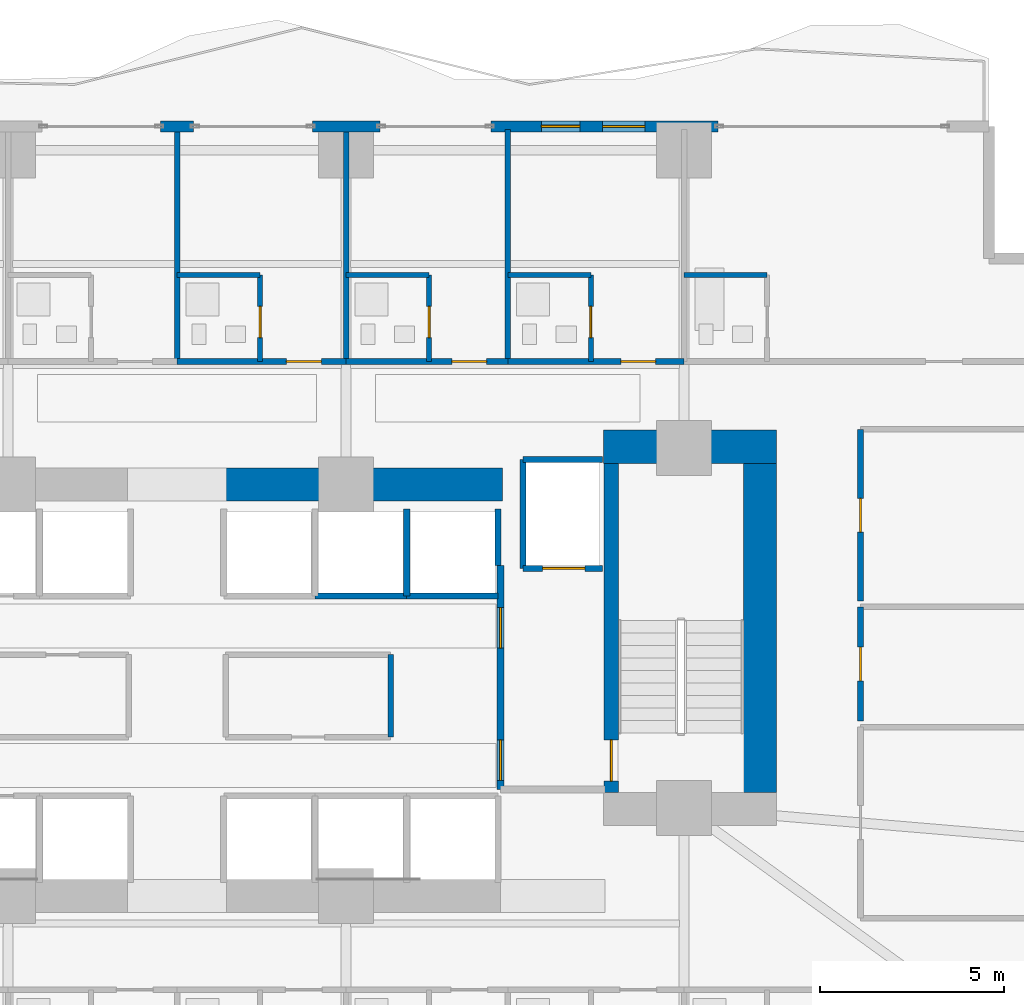
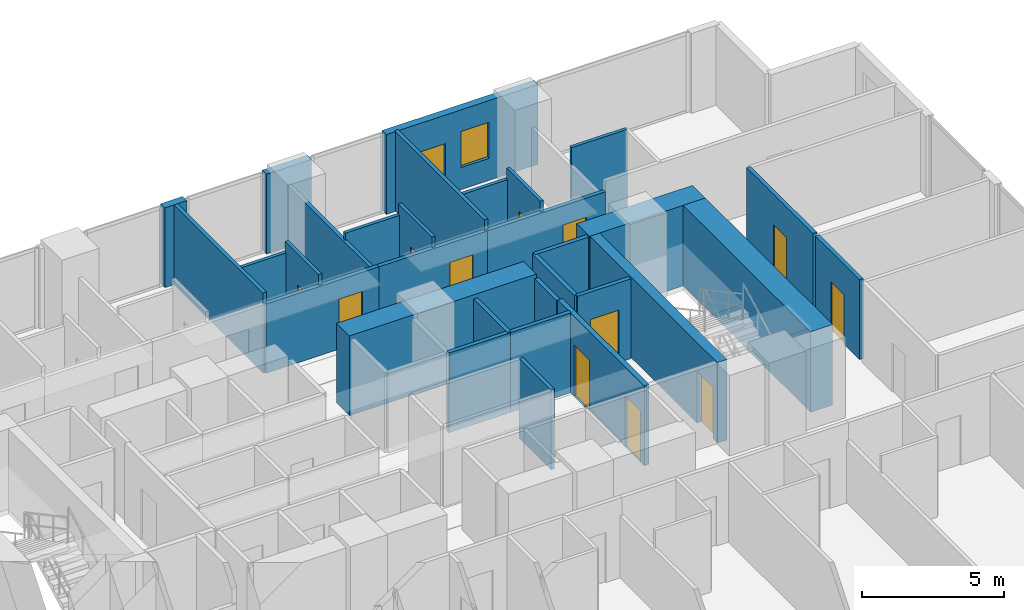
# One storey, part 23 of 29: 31 walls, 13 doors, 1 window, 14 openings.
"""IFC4 building model written with IfcOpenShell, lengths in metres."""

from ifc_helpers import new_model, si_unit, direction, frame, frame_2d, origin, place, context, subcontext, project, spatial, rectangle, extrude, material, layer, layer_set, type_object, element, fill, save


model = new_model("IFC4")

# Units and contexts
model_context = context("Model", 3, precision=1e-05, world=origin(), true_north=direction((0.0, 1.0)))
body_context = subcontext(model_context, "Body", "Model", "MODEL_VIEW")
ifc_project = project(units=[si_unit("LENGTHUNIT", "METRE"), si_unit("AREAUNIT", "SQUARE_METRE"), si_unit("VOLUMEUNIT", "CUBIC_METRE"), si_unit("PLANEANGLEUNIT", "RADIAN"), si_unit("MASSUNIT", "GRAM", prefix="KILO")], contexts=[model_context])

# Site, building, storey
site_placement = place(None, origin())
site = spatial("IfcSite", under=ifc_project, at=site_placement, CompositionType="ELEMENT")
building_placement = place(site_placement, origin())
building = spatial("IfcBuilding", under=site, at=building_placement, Name="Zuhayl Quay Hotel", CompositionType="ELEMENT")
storey_placement = place(building_placement, frame((0.0, 0.0, 64.10009765625)))
storey = spatial("IfcBuildingStorey", under=building, at=storey_placement, Name="L15", CompositionType="ELEMENT", Elevation=64.10009765625)

# Walls
ifc_material_1 = material(Name="Concrete C70/85", Category="concrete")
ifc_layer_1 = layer(ifc_material_1, 0.89990234375, Name="Concrete C70/85", Category="concrete")
ifc_layer_set_1 = layer_set([ifc_layer_1], Name="Concrete C70/85")
wall_type_1 = type_object("IfcWallType", Name="WL_CORE_900", PredefinedType="SHEAR", material=ifc_layer_set_1)
wall_1_placement = place(storey_placement, frame((11.60009765625, 14.3798828125, 0.0), z_axis=(0.0, 0.0, 1.0), x_axis=(1.0, 0.0, 0.0)))
element("IfcWall", 1, at=wall_1_placement, inside=storey, type_object=wall_type_1, Name="L15 Core Shear Wall CW_NE", PredefinedType="SHEAR", context=body_context, shape_type="SweptSolid", body=[
    extrude(rectangle(XDim=4.7099609375, YDim=0.89990234375, at=frame_2d((2.35498046875, 0.0))), origin(), (0.0, 0.0, 1.0), 3.4599609375),
])
wall_2_placement = place(storey_placement, frame((15.860107421875, 4.969970703125, 0.0), z_axis=(0.0, 0.0, 1.0), x_axis=(0.0, 1.0, 0.0)))
element("IfcWall", 2, at=wall_2_placement, inside=storey, type_object=wall_type_1, Name="L15 Core Shear Wall CW_E", PredefinedType="SHEAR", context=body_context, shape_type="SweptSolid", body=[
    extrude(rectangle(XDim=8.9599609375, YDim=0.89990234375, at=frame_2d((4.47998046875, 0.0))), origin(), (0.0, 0.0, 1.0), 3.4599609375),
])
wall_3_placement = place(storey_placement, frame((1.25, 13.35009765625, 0.0), z_axis=(0.0, 0.0, 1.0), x_axis=(1.0, 0.0, 0.0)))
element("IfcWall", 3, at=wall_3_placement, inside=storey, type_object=wall_type_1, Name="L15 Core Shear Wall CW_NC_E", PredefinedType="SHEAR", context=body_context, shape_type="SweptSolid", body=[
    extrude(rectangle(XDim=7.60009765625, YDim=0.89990234375, at=frame_2d((3.800048828125, 0.0))), origin(), (0.0, 0.0, 1.0), 3.429931640625),
])
ifc_material_2 = material(Name="Precast concrete C45/55", Category="concrete")
ifc_layer_2 = layer(ifc_material_2, 0.300048828125, Name="Precast concrete C45/55", Category="concrete")
ifc_layer_set_2 = layer_set([ifc_layer_2], Name="Precast concrete C45/55")
wall_type_2 = type_object("IfcWallType", Name="WL_EXT_300", PredefinedType="STANDARD", material=ifc_layer_set_2)
wall_4_placement = place(storey_placement, frame((-0.449951171875, 23.10009765625, 0.0), z_axis=(0.0, 0.0, 1.0), x_axis=(1.0, 0.0, 0.0)))
element("IfcWall", 4, at=wall_4_placement, inside=storey, type_object=wall_type_2, Name="L15 Exterior Precast Wall ENV_L15_N_EW4", PredefinedType="STANDARD", context=body_context, shape_type="SweptSolid", body=[
    extrude(rectangle(XDim=0.89990234375, YDim=0.300048828125, at=frame_2d((0.449951171875, 0.0))), origin(), (0.0, 0.0, 1.0), 3.429931640625),
])
wall_5_placement = place(storey_placement, frame((3.679931640625, 23.10009765625, 0.0), z_axis=(0.0, 0.0, 1.0), x_axis=(1.0, 0.0, 0.0)))
element("IfcWall", 5, at=wall_5_placement, inside=storey, type_object=wall_type_2, Name="L15 Exterior Precast Wall ENV_L15_N_EW5", PredefinedType="STANDARD", context=body_context, shape_type="SweptSolid", body=[
    extrude(rectangle(XDim=1.840087890625, YDim=0.300048828125, at=frame_2d((0.919921875, 0.0))), origin(), (0.0, 0.0, 1.0), 3.429931640625),
])

# Wall, openings, door, window
wall_6_placement = place(storey_placement, frame((8.550048828125, 23.10009765625, 0.0), z_axis=(0.0, 0.0, 1.0), x_axis=(1.0, 0.0, 0.0)))
wall_6 = element("IfcWall", 6, at=wall_6_placement, inside=storey, type_object=wall_type_2, Name="L15 Exterior Precast Wall ENV_L15_N_EW6", PredefinedType="STANDARD", context=body_context, shape_type="SweptSolid", body=[
    extrude(rectangle(XDim=6.169921875, YDim=0.300048828125, at=frame_2d((3.0849609375, 0.0))), origin(), (0.0, 0.0, 1.0), 3.429931640625),
])
opening_1_placement = place(wall_6_placement, frame((1.364990234375, 0.0, 0.0)))
opening_1 = element("IfcOpeningElement", 7, at=opening_1_placement, cuts=wall_6, Name="Opening DG1", PredefinedType="OPENING", context=body_context, shape_type="SweptSolid", body=[
    extrude(rectangle(XDim=1.050048828125, YDim=2.199951171875, at=frame_2d((0.52490234375, 1.10009765625))), frame((0.0, 0.159912109375, 0.0), z_axis=(0.0, -1.0, 0.0), x_axis=(1.0, 0.0, 0.0)), (0.0, 0.0, 1.0), 0.320068359375),
])
opening_2_placement = place(wall_6_placement, frame((3.032470703125, 0.0, 0.949951171875)))
opening_2 = element("IfcOpeningElement", 8, at=opening_2_placement, cuts=wall_6, Name="Opening W01N", PredefinedType="OPENING", context=body_context, shape_type="SweptSolid", body=[
    extrude(rectangle(XDim=1.14990234375, YDim=1.550048828125, at=frame_2d((0.574951171875, 0.77490234375))), frame((0.0, 0.159912109375, 0.0), z_axis=(0.0, -1.0, 0.0), x_axis=(1.0, 0.0, 0.0)), (0.0, 0.0, 1.0), 0.320068359375),
])
ifc_material_3 = material(Name="Anodised Aluminium and Dark Solar Glass", Category="aluminium")
door_type_1 = type_object("IfcDoorType", Name="DR_EXT_TERR_1050", OperationType="NOTDEFINED", PredefinedType="DOOR", material=ifc_material_3)
door_1_placement = place(opening_1_placement, origin())
door_1 = element("IfcDoor", 9, at=door_1_placement, inside=storey, type_object=door_type_1, Name="L15 North Rippling Balcony Door", OperationType="SINGLE_SWING_LEFT", OverallHeight=2.199951171875, OverallWidth=1.050048828125, PredefinedType="DOOR", context=body_context, shape_type="SweptSolid", body=[
    extrude(rectangle(XDim=1.050048828125, YDim=2.199951171875, at=frame_2d((0.52490234375, 1.10009765625))), frame((0.0, 0.02490234375, 0.0), z_axis=(0.0, -1.0, 0.0), x_axis=(1.0, 0.0, 0.0)), (0.0, 0.0, 1.0), 0.050048828125),
])
fill(opening_1, door_1)
ifc_material_4 = material(Name="Dark Ceramic-Fritted Solar Glass", Category="glass")
window_type = type_object("IfcWindowType", Name="WN_NOTCH_1350", PartitioningType="SINGLE_PANEL", PredefinedType="WINDOW", material=ifc_material_4)
window_placement = place(opening_2_placement, origin())
window = element("IfcWindow", 10, at=window_placement, inside=storey, type_object=window_type, Name="L15 Operable Facade Window 6-1", OverallHeight=1.550048828125, OverallWidth=1.14990234375, PartitioningType="SINGLE_PANEL", PredefinedType="WINDOW", context=body_context, shape_type="SweptSolid", body=[
    extrude(rectangle(XDim=1.14990234375, YDim=1.550048828125, at=frame_2d((0.574951171875, 0.77490234375))), frame((0.0, 0.030029296875, 0.0), z_axis=(0.0, -1.0, 0.0), x_axis=(1.0, 0.0, 0.0)), (0.0, 0.0, 1.0), 0.06005859375),
])
fill(opening_2, window)

# Walls
ifc_material_5 = material(Name="Acoustic Gypsum Partition STC-58")
ifc_layer_3 = layer(ifc_material_5, 0.14990234375, Name="Acoustic Gypsum Partition STC-58")
ifc_layer_set_3 = layer_set([ifc_layer_3], Name="Acoustic Gypsum Partition STC-58")
wall_type_3 = type_object("IfcWallType", Name="WL_PART_150", PredefinedType="PARTITIONING", material=ifc_layer_set_3)
wall_7_placement = place(storey_placement, frame((5.81005859375, 6.47998046875, 0.0), z_axis=(0.0, 0.0, 1.0), x_axis=(0.0, 1.0, 0.0)))
element("IfcWall", 11, at=wall_7_placement, inside=storey, type_object=wall_type_3, Name="L15 Partition IW_L15_CORE_PN_E", PredefinedType="PARTITIONING", context=body_context, shape_type="SweptSolid", body=[
    extrude(rectangle(XDim=2.239990234375, YDim=0.14990234375, at=frame_2d((1.1201171875, 0.0))), origin(), (0.0, 0.0, 1.0), 3.429931640625),
])
wall_8_placement = place(storey_placement, frame((0.0, 16.699951171875, 0.0), z_axis=(0.0, 0.0, 1.0), x_axis=(0.0, 1.0, 0.0)))
element("IfcWall", 12, at=wall_8_placement, inside=storey, type_object=wall_type_3, Name="L15 Partition IW_L15_NU04_E", PredefinedType="PARTITIONING", context=body_context, shape_type="SweptSolid", body=[
    extrude(rectangle(XDim=6.320068359375, YDim=0.14990234375, at=frame_2d((3.16015625, 0.0))), origin(), (0.0, 0.0, 1.0), 3.429931640625),
])
wall_9_placement = place(storey_placement, frame((4.60009765625, 16.699951171875, 0.0), z_axis=(0.0, 0.0, 1.0), x_axis=(0.0, 1.0, 0.0)))
element("IfcWall", 13, at=wall_9_placement, inside=storey, type_object=wall_type_3, Name="L15 Partition IW_L15_NU05_E", PredefinedType="PARTITIONING", context=body_context, shape_type="SweptSolid", body=[
    extrude(rectangle(XDim=6.320068359375, YDim=0.14990234375, at=frame_2d((3.16015625, 0.0))), origin(), (0.0, 0.0, 1.0), 2.66796875),
])
wall_10_placement = place(storey_placement, frame((9.0, 16.699951171875, 0.0), z_axis=(0.0, 0.0, 1.0), x_axis=(0.0, 1.0, 0.0)))
element("IfcWall", 14, at=wall_10_placement, inside=storey, type_object=wall_type_3, Name="L15 Partition IW_L15_NU06_E", PredefinedType="PARTITIONING", context=body_context, shape_type="SweptSolid", body=[
    extrude(rectangle(XDim=6.320068359375, YDim=0.14990234375, at=frame_2d((3.16015625, 0.0))), origin(), (0.0, 0.0, 1.0), 3.429931640625),
])

# Wall, opening, door
ifc_layer_4 = layer(ifc_material_5, 0.159912109375, Name="Acoustic Gypsum Partition STC-58")
ifc_layer_set_4 = layer_set([ifc_layer_4], Name="Acoustic Gypsum Partition STC-58")
wall_type_4 = type_object("IfcWallType", Name="WL_PART_CORR_160", PredefinedType="PARTITIONING", material=ifc_layer_set_4)
wall_11_placement = place(storey_placement, frame((0.0, 16.699951171875, 0.0), z_axis=(0.0, 0.0, 1.0), x_axis=(1.0, 0.0, 0.0)))
wall_11 = element("IfcWall", 15, at=wall_11_placement, inside=storey, type_object=wall_type_4, Name="L15 Partition IW_L15_NU05_COR", PredefinedType="PARTITIONING", context=body_context, shape_type="SweptSolid", body=[
    extrude(rectangle(XDim=4.60009765625, YDim=0.159912109375, at=frame_2d((2.300048828125, 0.0))), origin(), (0.0, 0.0, 1.0), 2.972900390625),
])
opening_3_placement = place(wall_11_placement, frame((2.97509765625, 0.0, 0.0)))
opening_3 = element("IfcOpeningElement", 16, at=opening_3_placement, cuts=wall_11, Name="Opening D03", PredefinedType="OPENING", context=body_context, shape_type="SweptSolid", body=[
    extrude(rectangle(XDim=0.949951171875, YDim=2.14990234375, at=frame_2d((0.47509765625, 1.074951171875))), frame((0.0, 0.08984375, 0.0), z_axis=(0.0, -1.0, 0.0), x_axis=(1.0, 0.0, 0.0)), (0.0, 0.0, 1.0), 0.179931640625),
])
ifc_material_6 = material(Name="Solid Walnut Acoustic Fire Door")
door_type_2 = type_object("IfcDoorType", Name="DR_SUITE_950", OperationType="NOTDEFINED", PredefinedType="DOOR", material=ifc_material_6)
door_2_placement = place(opening_3_placement, origin())
door_2 = element("IfcDoor", 17, at=door_2_placement, inside=storey, type_object=door_type_2, Name="L15 Deluxe Gulf Guest Room L15-05 Entrance Door", OperationType="SINGLE_SWING_LEFT", OverallHeight=2.14990234375, OverallWidth=0.949951171875, PredefinedType="DOOR", context=body_context, shape_type="SweptSolid", body=[
    extrude(rectangle(XDim=0.949951171875, YDim=2.14990234375, at=frame_2d((0.47509765625, 1.074951171875))), frame((0.0, 0.02490234375, 0.0), z_axis=(0.0, -1.0, 0.0), x_axis=(1.0, 0.0, 0.0)), (0.0, 0.0, 1.0), 0.050048828125),
])
fill(opening_3, door_2)

wall_12_placement = place(storey_placement, frame((4.60009765625, 16.699951171875, 0.0), z_axis=(0.0, 0.0, 1.0), x_axis=(1.0, 0.0, 0.0)))
wall_12 = element("IfcWall", 18, at=wall_12_placement, inside=storey, type_object=wall_type_4, Name="L15 Partition IW_L15_NU06_COR", PredefinedType="PARTITIONING", context=body_context, shape_type="SweptSolid", body=[
    extrude(rectangle(XDim=4.39990234375, YDim=0.159912109375, at=frame_2d((2.199951171875, 0.0))), origin(), (0.0, 0.0, 1.0), 2.972900390625),
])
opening_4_placement = place(wall_12_placement, frame((2.875, 0.0, 0.0)))
opening_4 = element("IfcOpeningElement", 19, at=opening_4_placement, cuts=wall_12, Name="Opening D03", PredefinedType="OPENING", context=body_context, shape_type="SweptSolid", body=[
    extrude(rectangle(XDim=0.949951171875, YDim=2.14990234375, at=frame_2d((0.47509765625, 1.074951171875))), frame((0.0, 0.08984375, 0.0), z_axis=(0.0, -1.0, 0.0), x_axis=(1.0, 0.0, 0.0)), (0.0, 0.0, 1.0), 0.179931640625),
])
door_3_placement = place(opening_4_placement, origin())
door_3 = element("IfcDoor", 20, at=door_3_placement, inside=storey, type_object=door_type_2, Name="L15 Deluxe Gulf Guest Room L15-06 Entrance Door", OperationType="SINGLE_SWING_LEFT", OverallHeight=2.14990234375, OverallWidth=0.949951171875, PredefinedType="DOOR", context=body_context, shape_type="SweptSolid", body=[
    extrude(rectangle(XDim=0.949951171875, YDim=2.14990234375, at=frame_2d((0.47509765625, 1.074951171875))), frame((0.0, 0.02490234375, 0.0), z_axis=(0.0, -1.0, 0.0), x_axis=(1.0, 0.0, 0.0)), (0.0, 0.0, 1.0), 0.050048828125),
])
fill(opening_4, door_3)

wall_13_placement = place(storey_placement, frame((9.0, 16.699951171875, 0.0), z_axis=(0.0, 0.0, 1.0), x_axis=(1.0, 0.0, 0.0)))
wall_13 = element("IfcWall", 21, at=wall_13_placement, inside=storey, type_object=wall_type_4, Name="L15 Partition IW_L15_NU07_COR", PredefinedType="PARTITIONING", context=body_context, shape_type="SweptSolid", body=[
    extrude(rectangle(XDim=4.800048828125, YDim=0.159912109375, at=frame_2d((2.39990234375, 0.0))), origin(), (0.0, 0.0, 1.0), 2.972900390625),
])
opening_5_placement = place(wall_13_placement, frame((3.074951171875, 0.0, 0.0)))
opening_5 = element("IfcOpeningElement", 22, at=opening_5_placement, cuts=wall_13, Name="Opening D03", PredefinedType="OPENING", context=body_context, shape_type="SweptSolid", body=[
    extrude(rectangle(XDim=0.949951171875, YDim=2.14990234375, at=frame_2d((0.47509765625, 1.074951171875))), frame((0.0, 0.08984375, 0.0), z_axis=(0.0, -1.0, 0.0), x_axis=(1.0, 0.0, 0.0)), (0.0, 0.0, 1.0), 0.179931640625),
])
door_4_placement = place(opening_5_placement, origin())
door_4 = element("IfcDoor", 23, at=door_4_placement, inside=storey, type_object=door_type_2, Name="L15 Deluxe Gulf Guest Room L15-07 Entrance Door", OperationType="SINGLE_SWING_LEFT", OverallHeight=2.14990234375, OverallWidth=0.949951171875, PredefinedType="DOOR", context=body_context, shape_type="SweptSolid", body=[
    extrude(rectangle(XDim=0.949951171875, YDim=2.14990234375, at=frame_2d((0.47509765625, 1.074951171875))), frame((0.0, 0.02490234375, 0.0), z_axis=(0.0, -1.0, 0.0), x_axis=(1.0, 0.0, 0.0)), (0.0, 0.0, 1.0), 0.050048828125),
])
fill(opening_5, door_4)

wall_14_placement = place(storey_placement, frame((18.60009765625, 6.909912109375, 0.0), z_axis=(0.0, 0.0, 1.0), x_axis=(0.0, 1.0, 0.0)))
wall_14 = element("IfcWall", 24, at=wall_14_placement, inside=storey, type_object=wall_type_4, Name="L15 Partition IW_L15_EFLK_2_W", PredefinedType="PARTITIONING", context=body_context, shape_type="SweptSolid", body=[
    extrude(rectangle(XDim=3.110107421875, YDim=0.159912109375, at=frame_2d((1.55517578125, 0.0))), origin(), (0.0, 0.0, 1.0), 3.429931640625),
])
opening_6_placement = place(wall_14_placement, frame((1.094970703125, 0.0, 0.0)))
opening_6 = element("IfcOpeningElement", 25, at=opening_6_placement, cuts=wall_14, Name="Opening D05", PredefinedType="OPENING", context=body_context, shape_type="SweptSolid", body=[
    extrude(rectangle(XDim=0.919921875, YDim=2.1201171875, at=frame_2d((0.4599609375, 1.06005859375))), frame((0.0, 0.08984375, 0.0), z_axis=(0.0, -1.0, 0.0), x_axis=(1.0, 0.0, 0.0)), (0.0, 0.0, 1.0), 0.179931640625),
])
door_type_3 = type_object("IfcDoorType", Name="DR_INT_950", OperationType="NOTDEFINED", PredefinedType="DOOR", material=ifc_material_6)
door_5_placement = place(opening_6_placement, origin())
door_5 = element("IfcDoor", 26, at=door_5_placement, inside=storey, type_object=door_type_3, Name="L15 Floor Beverage Pantry Door", OperationType="SINGLE_SWING_LEFT", OverallHeight=2.1201171875, OverallWidth=0.919921875, PredefinedType="DOOR", context=body_context, shape_type="SweptSolid", body=[
    extrude(rectangle(XDim=0.919921875, YDim=2.1201171875, at=frame_2d((0.4599609375, 1.06005859375))), frame((0.0, 0.02490234375, 0.0), z_axis=(0.0, -1.0, 0.0), x_axis=(1.0, 0.0, 0.0)), (0.0, 0.0, 1.0), 0.050048828125),
])
fill(opening_6, door_5)

wall_15_placement = place(storey_placement, frame((18.60009765625, 10.179931640625, 0.0), z_axis=(0.0, 0.0, 1.0), x_axis=(0.0, 1.0, 0.0)))
wall_15 = element("IfcWall", 27, at=wall_15_placement, inside=storey, type_object=wall_type_4, Name="L15 Partition IW_L15_EFLK_3_W", PredefinedType="PARTITIONING", context=body_context, shape_type="SweptSolid", body=[
    extrude(rectangle(XDim=4.670166015625, YDim=0.159912109375, at=frame_2d((2.3349609375, 0.0))), origin(), (0.0, 0.0, 1.0), 3.429931640625),
])
opening_7_placement = place(wall_15_placement, frame((1.875, 0.0, 0.0)))
opening_7 = element("IfcOpeningElement", 28, at=opening_7_placement, cuts=wall_15, Name="Opening D05", PredefinedType="OPENING", context=body_context, shape_type="SweptSolid", body=[
    extrude(rectangle(XDim=0.919921875, YDim=2.1201171875, at=frame_2d((0.4599609375, 1.06005859375))), frame((0.0, 0.08984375, 0.0), z_axis=(0.0, -1.0, 0.0), x_axis=(1.0, 0.0, 0.0)), (0.0, 0.0, 1.0), 0.179931640625),
])
door_6_placement = place(opening_7_placement, origin())
door_6 = element("IfcDoor", 29, at=door_6_placement, inside=storey, type_object=door_type_3, Name="L15 East Prow Office L15 Door", OperationType="SINGLE_SWING_RIGHT", OverallHeight=2.1201171875, OverallWidth=0.919921875, PredefinedType="DOOR", context=body_context, shape_type="SweptSolid", body=[
    extrude(rectangle(XDim=0.919921875, YDim=2.1201171875, at=frame_2d((0.4599609375, 1.06005859375))), frame((0.0, 0.02490234375, 0.0), z_axis=(0.0, -1.0, 0.0), x_axis=(1.0, 0.0, 0.0)), (0.0, 0.0, 1.0), 0.050048828125),
])
fill(opening_7, door_6)

ifc_material_7 = material(Name="Moisture-Resistant Sanitarychase Gypsum")
ifc_layer_5 = layer(ifc_material_7, 0.135009765625, Name="Moisture-Resistant Sanitarychase Gypsum")
ifc_layer_set_5 = layer_set([ifc_layer_5], Name="Moisture-Resistant Sanitarychase Gypsum")
wall_type_5 = type_object("IfcWallType", Name="WL_PART_PLUMB_150", PredefinedType="PLUMBINGWALL", material=ifc_layer_set_5)
wall_16_placement = place(storey_placement, frame((2.260009765625, 16.699951171875, 0.0), z_axis=(0.0, 0.0, 1.0), x_axis=(0.0, 1.0, 0.0)))
wall_16 = element("IfcWall", 30, at=wall_16_placement, inside=storey, type_object=wall_type_5, Name="L15 Partition IW_L15_NU05_BE", PredefinedType="PLUMBINGWALL", context=body_context, shape_type="SweptSolid", body=[
    extrude(rectangle(XDim=2.360107421875, YDim=0.135009765625, at=frame_2d((1.18017578125, 0.0))), origin(), (0.0, 0.0, 1.0), 3.429931640625),
])
opening_8_placement = place(wall_16_placement, frame((0.64990234375, 0.0, 0.0)))
opening_8 = element("IfcOpeningElement", 31, at=opening_8_placement, cuts=wall_16, Name="Opening D04", PredefinedType="OPENING", context=body_context, shape_type="SweptSolid", body=[
    extrude(rectangle(XDim=0.85009765625, YDim=2.10009765625, at=frame_2d((0.425048828125, 1.050048828125))), frame((0.0, 0.077392578125, 0.0), z_axis=(0.0, -1.0, 0.0), x_axis=(1.0, 0.0, 0.0)), (0.0, 0.0, 1.0), 0.155029296875),
])
ifc_material_8 = material(Name="Moisture-Resistant Walnut Veneer")
door_type_4 = type_object("IfcDoorType", Name="DR_BATH_850", OperationType="NOTDEFINED", PredefinedType="DOOR", material=ifc_material_8)
door_7_placement = place(opening_8_placement, origin())
door_7 = element("IfcDoor", 32, at=door_7_placement, inside=storey, type_object=door_type_4, Name="L15 Deluxe Gulf Guest Room L15-05 En-Suite Door", OperationType="SINGLE_SWING_RIGHT", OverallHeight=2.10009765625, OverallWidth=0.85009765625, PredefinedType="DOOR", context=body_context, shape_type="SweptSolid", body=[
    extrude(rectangle(XDim=0.85009765625, YDim=2.10009765625, at=frame_2d((0.425048828125, 1.050048828125))), frame((0.0, 0.02490234375, 0.0), z_axis=(0.0, -1.0, 0.0), x_axis=(1.0, 0.0, 0.0)), (0.0, 0.0, 1.0), 0.050048828125),
])
fill(opening_8, door_7)

wall_17_placement = place(storey_placement, frame((6.860107421875, 16.699951171875, 0.0), z_axis=(0.0, 0.0, 1.0), x_axis=(0.0, 1.0, 0.0)))
wall_17 = element("IfcWall", 33, at=wall_17_placement, inside=storey, type_object=wall_type_5, Name="L15 Partition IW_L15_NU06_BE", PredefinedType="PLUMBINGWALL", context=body_context, shape_type="SweptSolid", body=[
    extrude(rectangle(XDim=2.360107421875, YDim=0.135009765625, at=frame_2d((1.18017578125, 0.0))), origin(), (0.0, 0.0, 1.0), 3.429931640625),
])
opening_9_placement = place(wall_17_placement, frame((0.64990234375, 0.0, 0.0)))
opening_9 = element("IfcOpeningElement", 34, at=opening_9_placement, cuts=wall_17, Name="Opening D04", PredefinedType="OPENING", context=body_context, shape_type="SweptSolid", body=[
    extrude(rectangle(XDim=0.85009765625, YDim=2.10009765625, at=frame_2d((0.425048828125, 1.050048828125))), frame((0.0, 0.077392578125, 0.0), z_axis=(0.0, -1.0, 0.0), x_axis=(1.0, 0.0, 0.0)), (0.0, 0.0, 1.0), 0.155029296875),
])
door_8_placement = place(opening_9_placement, origin())
door_8 = element("IfcDoor", 35, at=door_8_placement, inside=storey, type_object=door_type_4, Name="L15 Deluxe Gulf Guest Room L15-06 En-Suite Door", OperationType="SINGLE_SWING_RIGHT", OverallHeight=2.10009765625, OverallWidth=0.85009765625, PredefinedType="DOOR", context=body_context, shape_type="SweptSolid", body=[
    extrude(rectangle(XDim=0.85009765625, YDim=2.10009765625, at=frame_2d((0.425048828125, 1.050048828125))), frame((0.0, 0.02490234375, 0.0), z_axis=(0.0, -1.0, 0.0), x_axis=(1.0, 0.0, 0.0)), (0.0, 0.0, 1.0), 0.050048828125),
])
fill(opening_9, door_8)

wall_18_placement = place(storey_placement, frame((11.260009765625, 16.699951171875, 0.0), z_axis=(0.0, 0.0, 1.0), x_axis=(0.0, 1.0, 0.0)))
wall_18 = element("IfcWall", 36, at=wall_18_placement, inside=storey, type_object=wall_type_5, Name="L15 Partition IW_L15_NU07_BE", PredefinedType="PLUMBINGWALL", context=body_context, shape_type="SweptSolid", body=[
    extrude(rectangle(XDim=2.360107421875, YDim=0.135009765625, at=frame_2d((1.18017578125, 0.0))), origin(), (0.0, 0.0, 1.0), 3.429931640625),
])
opening_10_placement = place(wall_18_placement, frame((0.64990234375, 0.0, 0.0)))
opening_10 = element("IfcOpeningElement", 37, at=opening_10_placement, cuts=wall_18, Name="Opening D04", PredefinedType="OPENING", context=body_context, shape_type="SweptSolid", body=[
    extrude(rectangle(XDim=0.85009765625, YDim=2.10009765625, at=frame_2d((0.425048828125, 1.050048828125))), frame((0.0, 0.077392578125, 0.0), z_axis=(0.0, -1.0, 0.0), x_axis=(1.0, 0.0, 0.0)), (0.0, 0.0, 1.0), 0.155029296875),
])
door_9_placement = place(opening_10_placement, origin())
door_9 = element("IfcDoor", 38, at=door_9_placement, inside=storey, type_object=door_type_4, Name="L15 Deluxe Gulf Guest Room L15-07 En-Suite Door", OperationType="SINGLE_SWING_RIGHT", OverallHeight=2.10009765625, OverallWidth=0.85009765625, PredefinedType="DOOR", context=body_context, shape_type="SweptSolid", body=[
    extrude(rectangle(XDim=0.85009765625, YDim=2.10009765625, at=frame_2d((0.425048828125, 1.050048828125))), frame((0.0, 0.02490234375, 0.0), z_axis=(0.0, -1.0, 0.0), x_axis=(1.0, 0.0, 0.0)), (0.0, 0.0, 1.0), 0.050048828125),
])
fill(opening_10, door_9)

# Walls
for number, where, z_axis, x_axis, name in (
    (39, (0.0, 19.06005859375, 0.0), (0.0, 0.0, 1.0), (1.0, 0.0, 0.0), "L15 Partition IW_L15_NU05_BN"),
    (40, (4.60009765625, 19.06005859375, 0.0), (0.0, 0.0, 1.0), (1.0, 0.0, 0.0), "L15 Partition IW_L15_NU06_BN"),
    (41, (9.0, 19.06005859375, 0.0), (0.0, 0.0, 1.0), (1.0, 0.0, 0.0), "L15 Partition IW_L15_NU07_BN"),
):
    element("IfcWall", number, at=place(storey_placement, frame(where, z_axis=z_axis, x_axis=x_axis)), inside=storey, type_object=wall_type_5, Name=name, PredefinedType="PLUMBINGWALL", context=body_context, shape_type="SweptSolid", body=[
        extrude(rectangle(XDim=2.260009765625, YDim=0.135009765625, at=frame_2d((1.1298828125, 0.0))), origin(), (0.0, 0.0, 1.0), 2.972900390625),
    ])
wall_19_placement = place(storey_placement, frame((13.800048828125, 19.06005859375, 0.0), z_axis=(0.0, 0.0, 1.0), x_axis=(1.0, 0.0, 0.0)))
element("IfcWall", 42, at=wall_19_placement, inside=storey, type_object=wall_type_5, Name="L15 Partition IW_L15_NU08_BN", PredefinedType="PLUMBINGWALL", context=body_context, shape_type="SweptSolid", body=[
    extrude(rectangle(XDim=2.260009765625, YDim=0.135009765625, at=frame_2d((1.1298828125, 0.0))), origin(), (0.0, 0.0, 1.0), 3.429931640625),
])

# Wall, opening, door
ifc_material_9 = material(Name="Gypsum Fireboard Assembly EI-90")
ifc_layer_6 = layer(ifc_material_9, 0.1650390625, Name="Gypsum Fireboard Assembly EI-90")
ifc_layer_set_6 = layer_set([ifc_layer_6], Name="Gypsum Fireboard Assembly EI-90")
wall_type_6 = type_object("IfcWallType", Name="WL_PART_SHAFT_160", PredefinedType="PARTITIONING", material=ifc_layer_set_6)
wall_20_placement = place(storey_placement, frame((9.419921875, 11.070068359375, 0.0), z_axis=(0.0, 0.0, 1.0), x_axis=(1.0, 0.0, 0.0)))
wall_20 = element("IfcWall", 43, at=wall_20_placement, inside=storey, type_object=wall_type_6, Name="L15 Partition IW_L15_SH_FL2_F", PredefinedType="PARTITIONING", context=body_context, shape_type="SweptSolid", body=[
    extrude(rectangle(XDim=2.16015625, YDim=0.1650390625, at=frame_2d((1.080078125, 0.0))), origin(), (0.0, 0.0, 1.0), 3.429931640625),
])
opening_11_placement = place(wall_20_placement, frame((0.530029296875, 0.0, 0.0)))
opening_11 = element("IfcOpeningElement", 44, at=opening_11_placement, cuts=wall_20, Name="Opening LD2", PredefinedType="OPENING", context=body_context, shape_type="SweptSolid", body=[
    extrude(rectangle(XDim=1.14990234375, YDim=2.25, at=frame_2d((0.574951171875, 1.125))), frame((0.0, 0.092529296875, 0.0), z_axis=(0.0, -1.0, 0.0), x_axis=(1.0, 0.0, 0.0)), (0.0, 0.0, 1.0), 0.18505859375),
])
ifc_material_10 = material(Name="Brushed Stainless Steel", Category="steel")
door_type_5 = type_object("IfcDoorType", Name="DR_LIFT_FF_1100", OperationType="SLIDING_TO_LEFT", PredefinedType="DOOR", material=ifc_material_10)
door_10_placement = place(opening_11_placement, origin())
door_10 = element("IfcDoor", 45, at=door_10_placement, inside=storey, type_object=door_type_5, Name="L15 Lift FL2 Sliding Landing Door", OperationType="SLIDING_TO_LEFT", OverallHeight=2.25, OverallWidth=1.14990234375, PredefinedType="DOOR", context=body_context, shape_type="SweptSolid", body=[
    extrude(rectangle(XDim=1.14990234375, YDim=2.25, at=frame_2d((0.574951171875, 1.125))), frame((0.0, 0.02490234375, 0.0), z_axis=(0.0, -1.0, 0.0), x_axis=(1.0, 0.0, 0.0)), (0.0, 0.0, 1.0), 0.050048828125),
])
fill(opening_11, door_10)

# Walls
wall_21_placement = place(storey_placement, frame((9.419921875, 11.070068359375, 0.0), z_axis=(0.0, 0.0, 1.0), x_axis=(0.0, 1.0, 0.0)))
element("IfcWall", 46, at=wall_21_placement, inside=storey, type_object=wall_type_6, Name="L15 Partition IW_L15_SH_FL2_W", PredefinedType="PARTITIONING", context=body_context, shape_type="SweptSolid", body=[
    extrude(rectangle(XDim=2.9599609375, YDim=0.1650390625, at=frame_2d((1.47998046875, 0.0))), origin(), (0.0, 0.0, 1.0), 3.429931640625),
])
wall_22_placement = place(storey_placement, frame((9.419921875, 14.030029296875, 0.0), z_axis=(0.0, 0.0, 1.0), x_axis=(1.0, 0.0, 0.0)))
element("IfcWall", 47, at=wall_22_placement, inside=storey, type_object=wall_type_6, Name="L15 Partition IW_L15_SH_FL2_B", PredefinedType="PARTITIONING", context=body_context, shape_type="SweptSolid", body=[
    extrude(rectangle(XDim=2.16015625, YDim=0.1650390625, at=frame_2d((1.080078125, 0.0))), origin(), (0.0, 0.0, 1.0), 3.429931640625),
])
wall_23_placement = place(storey_placement, frame((3.75, 10.320068359375, 0.0), z_axis=(0.0, 0.0, 1.0), x_axis=(1.0, 0.0, 0.0)))
element("IfcWall", 48, at=wall_23_placement, inside=storey, type_object=wall_type_6, Name="L15 Partition IW_L15_SH_HP3_F", PredefinedType="PARTITIONING", context=body_context, shape_type="SweptSolid", body=[
    extrude(rectangle(XDim=2.5, YDim=0.1650390625, at=frame_2d((1.25, 0.0))), origin(), (0.0, 0.0, 1.0), 3.429931640625),
])
wall_24_placement = place(storey_placement, frame((6.25, 10.320068359375, 0.0), z_axis=(0.0, 0.0, 1.0), x_axis=(0.0, 1.0, 0.0)))
element("IfcWall", 49, at=wall_24_placement, inside=storey, type_object=wall_type_6, Name="L15 Partition IW_L15_SH_HP3_E", PredefinedType="PARTITIONING", context=body_context, shape_type="SweptSolid", body=[
    extrude(rectangle(XDim=2.35986328125, YDim=0.1650390625, at=frame_2d((1.179931640625, 0.0))), origin(), (0.0, 0.0, 1.0), 3.429931640625),
])
wall_25_placement = place(storey_placement, frame((6.25, 10.320068359375, 0.0), z_axis=(0.0, 0.0, 1.0), x_axis=(1.0, 0.0, 0.0)))
element("IfcWall", 50, at=wall_25_placement, inside=storey, type_object=wall_type_6, Name="L15 Partition IW_L15_SH_HP4_F", PredefinedType="PARTITIONING", context=body_context, shape_type="SweptSolid", body=[
    extrude(rectangle(XDim=2.47998046875, YDim=0.1650390625, at=frame_2d((1.239990234375, 0.0))), origin(), (0.0, 0.0, 1.0), 3.429931640625),
])
wall_26_placement = place(storey_placement, frame((8.72998046875, 11.14990234375, 0.0), z_axis=(0.0, 0.0, 1.0), x_axis=(0.0, 1.0, 0.0)))
element("IfcWall", 51, at=wall_26_placement, inside=storey, type_object=wall_type_6, Name="L15 Partition IW_L15_SH_HP4_E", PredefinedType="PARTITIONING", context=body_context, shape_type="SweptSolid", body=[
    extrude(rectangle(XDim=1.530029296875, YDim=0.1650390625, at=frame_2d((0.76513671875, 0.0))), origin(), (0.0, 0.0, 1.0), 3.429931640625),
])

# Wall, openings, doors
ifc_material_11 = material(Name="Gypsum Fireboard Assembly EI-120")
ifc_layer_7 = layer(ifc_material_11, 0.199951171875, Name="Gypsum Fireboard Assembly EI-120")
ifc_layer_set_7 = layer_set([ifc_layer_7], Name="Gypsum Fireboard Assembly EI-120")
wall_type_7 = type_object("IfcWallType", Name="WL_PART_SHAFT_200", PredefinedType="PARTITIONING", material=ifc_layer_set_7)
wall_27_placement = place(storey_placement, frame((8.800048828125, 11.14990234375, 0.0), z_axis=(0.0, 0.0, 1.0), x_axis=(0.0, -1.0, 0.0)))
wall_27 = element("IfcWall", 52, at=wall_27_placement, inside=storey, type_object=wall_type_7, Name="L15 Partition IW_L15_FSAE_E_W", PredefinedType="PARTITIONING", context=body_context, shape_type="SweptSolid", body=[
    extrude(rectangle(XDim=6.099853515625, YDim=0.199951171875, at=frame_2d((3.0498046875, 0.0))), origin(), (0.0, 0.0, 1.0), 3.429931640625),
])
opening_12_placement = place(wall_27_placement, frame((1.14990234375, 0.0, 0.0)))
opening_12 = element("IfcOpeningElement", 53, at=opening_12_placement, cuts=wall_27, Name="Opening D02", PredefinedType="OPENING", context=body_context, shape_type="SweptSolid", body=[
    extrude(rectangle(XDim=1.10009765625, YDim=2.199951171875, at=frame_2d((0.550048828125, 1.10009765625))), frame((0.0, 0.10986328125, 0.0), z_axis=(0.0, -1.0, 0.0), x_axis=(1.0, 0.0, 0.0)), (0.0, 0.0, 1.0), 0.219970703125),
])
opening_13_placement = place(wall_27_placement, frame((4.75, 0.0, 0.0)))
opening_13 = element("IfcOpeningElement", 54, at=opening_13_placement, cuts=wall_27, Name="Opening D02", PredefinedType="OPENING", context=body_context, shape_type="SweptSolid", body=[
    extrude(rectangle(XDim=1.10009765625, YDim=2.199951171875, at=frame_2d((0.550048828125, 1.10009765625))), frame((0.0, 0.10986328125, 0.0), z_axis=(0.0, -1.0, 0.0), x_axis=(1.0, 0.0, 0.0)), (0.0, 0.0, 1.0), 0.219970703125),
])
ifc_material_12 = material(Name="Steel ASTM A992 Grade 50", Category="steel")
door_type_6 = type_object("IfcDoorType", Name="DR_FIRE_90_1100", OperationType="NOTDEFINED", PredefinedType="DOOR", material=ifc_material_12)
door_11_placement = place(opening_12_placement, origin())
door_11 = element("IfcDoor", 55, at=door_11_placement, inside=storey, type_object=door_type_6, Name="L15 FSAE Lobby East North Entry Door", OperationType="SINGLE_SWING_LEFT", OverallHeight=2.199951171875, OverallWidth=1.10009765625, PredefinedType="DOOR", context=body_context, shape_type="SweptSolid", body=[
    extrude(rectangle(XDim=1.10009765625, YDim=2.199951171875, at=frame_2d((0.550048828125, 1.10009765625))), frame((0.0, 0.02490234375, 0.0), z_axis=(0.0, -1.0, 0.0), x_axis=(1.0, 0.0, 0.0)), (0.0, 0.0, 1.0), 0.050048828125),
])
fill(opening_12, door_11)
door_12_placement = place(opening_13_placement, origin())
door_12 = element("IfcDoor", 56, at=door_12_placement, inside=storey, type_object=door_type_6, Name="L15 FSAE Lobby East South Entry Door", OperationType="SINGLE_SWING_RIGHT", OverallHeight=2.199951171875, OverallWidth=1.10009765625, PredefinedType="DOOR", context=body_context, shape_type="SweptSolid", body=[
    extrude(rectangle(XDim=1.10009765625, YDim=2.199951171875, at=frame_2d((0.550048828125, 1.10009765625))), frame((0.0, 0.02490234375, 0.0), z_axis=(0.0, -1.0, 0.0), x_axis=(1.0, 0.0, 0.0)), (0.0, 0.0, 1.0), 0.050048828125),
])
fill(opening_13, door_12)

# Wall, opening, door
ifc_material_13 = material(Name="Concrete C60/75", Category="concrete")
ifc_layer_8 = layer(ifc_material_13, 0.39990234375, Name="Concrete C60/75", Category="concrete")
ifc_layer_set_8 = layer_set([ifc_layer_8], Name="Concrete C60/75")
wall_type_8 = type_object("IfcWallType", Name="WL_STAIR_400", PredefinedType="SHEAR", material=ifc_layer_set_8)
wall_28_placement = place(storey_placement, frame((11.820068359375, 13.929931640625, 0.0), z_axis=(0.0, 0.0, 1.0), x_axis=(0.0, -1.0, 0.0)))
wall_28 = element("IfcWall", 57, at=wall_28_placement, inside=storey, type_object=wall_type_8, Name="L15 Core Shear Wall SW_ST2", PredefinedType="SHEAR", context=body_context, shape_type="SweptSolid", body=[
    extrude(rectangle(XDim=8.9599609375, YDim=0.39990234375, at=frame_2d((4.47998046875, 0.0))), origin(), (0.0, 0.0, 1.0), 3.4599609375),
])
opening_14_placement = place(wall_28_placement, frame((7.530029296875, 0.0, 0.0)))
opening_14 = element("IfcOpeningElement", 58, at=opening_14_placement, cuts=wall_28, Name="Opening D01", PredefinedType="OPENING", context=body_context, shape_type="SweptSolid", body=[
    extrude(rectangle(XDim=1.1201171875, YDim=2.219970703125, at=frame_2d((0.56005859375, 1.10986328125))), frame((0.0, 0.2099609375, 0.0), z_axis=(0.0, -1.0, 0.0), x_axis=(1.0, 0.0, 0.0)), (0.0, 0.0, 1.0), 0.419921875),
])
door_type_7 = type_object("IfcDoorType", Name="DR_STAIR_90_1100", OperationType="NOTDEFINED", PredefinedType="DOOR", material=ifc_material_12)
door_13_placement = place(opening_14_placement, origin())
door_13 = element("IfcDoor", 59, at=door_13_placement, inside=storey, type_object=door_type_7, Name="L15 Smokeproof Exit Stair ST2 Door", OperationType="SINGLE_SWING_RIGHT", OverallHeight=2.219970703125, OverallWidth=1.1201171875, PredefinedType="DOOR", context=body_context, shape_type="SweptSolid", body=[
    extrude(rectangle(XDim=1.1201171875, YDim=2.219970703125, at=frame_2d((0.56005859375, 1.10986328125))), frame((0.0, 0.02490234375, 0.0), z_axis=(0.0, -1.0, 0.0), x_axis=(1.0, 0.0, 0.0)), (0.0, 0.0, 1.0), 0.050048828125),
])
fill(opening_14, door_13)

save(model, "model.ifc")
